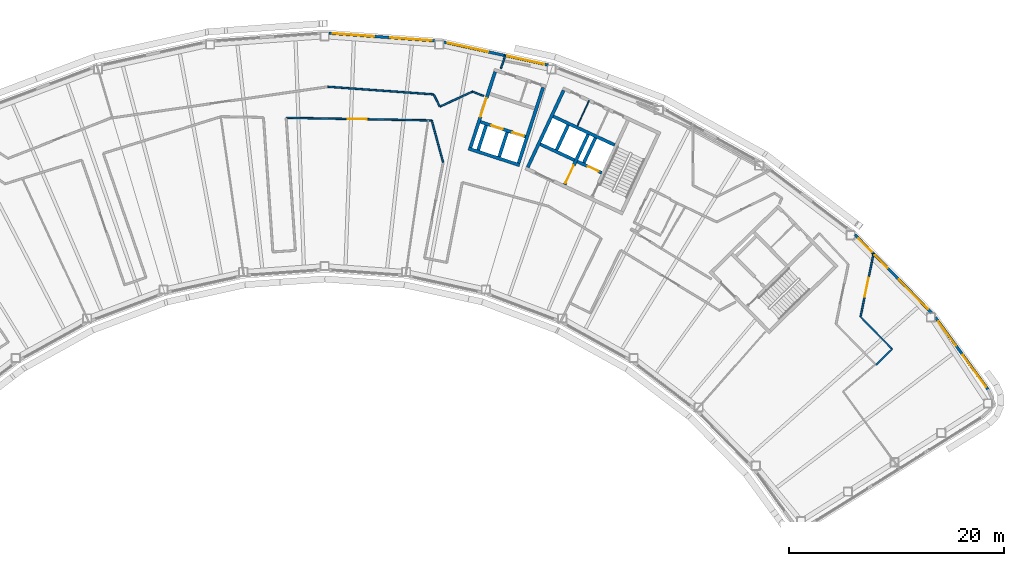
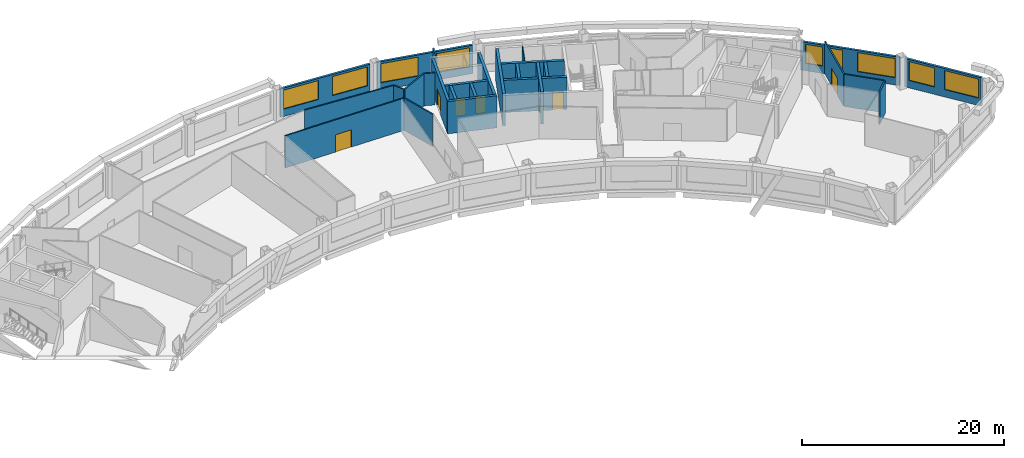
# One storey, part 9 of 13: 28 walls, 9 windows, 7 doors, 16 openings.
"""IFC4 building model written with IfcOpenShell, lengths in metres."""

from ifc_helpers import new_model, si_unit, direction, frame, frame_2d, origin, place, context, subcontext, project, spatial, rectangle, extrude, material, layer, layer_set, type_object, element, fill, save


model = new_model("IFC4")

# Units and contexts
model_context = context("Model", 3, precision=1e-05, world=origin(), true_north=direction((0.0, 1.0)))
body_context = subcontext(model_context, "Body", "Model", "MODEL_VIEW")
ifc_project = project(units=[si_unit("LENGTHUNIT", "METRE"), si_unit("AREAUNIT", "SQUARE_METRE"), si_unit("VOLUMEUNIT", "CUBIC_METRE"), si_unit("PLANEANGLEUNIT", "RADIAN"), si_unit("MASSUNIT", "GRAM", prefix="KILO")], contexts=[model_context])

# Site, building, storey
site_placement = place(None, origin())
site = spatial("IfcSite", under=ifc_project, at=site_placement, CompositionType="ELEMENT")
building_placement = place(site_placement, origin())
building = spatial("IfcBuilding", under=site, at=building_placement, Name="Tuul Gate Civic Tower", CompositionType="ELEMENT")
storey_placement = place(building_placement, frame((0.0, 0.0, 306.800048828125)))
storey = spatial("IfcBuildingStorey", under=building, at=storey_placement, Name="Level 69", CompositionType="ELEMENT", Elevation=306.800048828125)

# Wall, opening, door
ifc_material_1 = material(Name="Concrete C50/60", Category="concrete")
ifc_layer_1 = layer(ifc_material_1, 0.300048828125)
ifc_layer_set_1 = layer_set([ifc_layer_1], Name="Concrete C50/60")
wall_type_1 = type_object("IfcWallType", Name="Core wall C50/60", PredefinedType="SHEAR", material=ifc_layer_set_1)
wall_1_placement = place(storey_placement, frame((32.545654296875, -3.456787109375, 0.0), z_axis=(0.0, 0.0, 1.0), x_axis=(-0.906300357825, 0.42263419337, 0.0)))
wall_1 = element("IfcWall", 1, at=wall_1_placement, inside=storey, type_object=wall_type_1, Name="Core wall", PredefinedType="SHEAR", context=body_context, shape_type="SweptSolid", body=[
    extrude(rectangle(XDim=2.500244140625, YDim=0.300048828125, at=frame_2d((1.25, 0.0))), origin(), (0.0, 0.0, 1.0), 3.89990234375),
])
opening_1_placement = place(wall_1_placement, frame((0.324951171875, 0.0, 0.0)))
opening_1 = element("IfcOpeningElement", 2, at=opening_1_placement, cuts=wall_1, Name="Opening LD-FF-2", PredefinedType="OPENING", context=body_context, shape_type="SweptSolid", body=[
    extrude(rectangle(XDim=1.10009765625, YDim=2.10009765625, at=frame_2d((0.550048828125, 1.050048828125))), frame((0.0, 0.16015625, 0.0), z_axis=(0.0, -1.0, 0.0), x_axis=(1.0, 0.0, 0.0)), (0.0, 0.0, 1.0), 0.320068359375),
])
ifc_material_2 = material(Name="Stainless steel", Category="steel")
door_type_1 = type_object("IfcDoorType", Name="Landing door", OperationType="DOUBLE_DOOR_SLIDING", PredefinedType="DOOR", material=ifc_material_2)
door_1_placement = place(opening_1_placement, origin())
door_1 = element("IfcDoor", 3, at=door_1_placement, inside=storey, type_object=door_type_1, Name="Fire-fighting lift FF-2 landing door", OperationType="DOUBLE_DOOR_SLIDING", OverallHeight=2.10009765625, OverallWidth=1.10009765625, PredefinedType="DOOR", context=body_context, shape_type="SweptSolid", body=[
    extrude(rectangle(XDim=1.10009765625, YDim=2.10009765625, at=frame_2d((0.550048828125, 1.050048828125))), frame((0.0, 0.02490234375, 0.0), z_axis=(0.0, -1.0, 0.0), x_axis=(1.0, 0.0, 0.0)), (0.0, 0.0, 1.0), 0.050048828125),
])
fill(opening_1, door_1)

# Walls
wall_2_placement = place(storey_placement, frame((30.0078125, -2.2734375, 0.0), z_axis=(0.0, 0.0, 1.0), x_axis=(-0.90630071767, 0.422633421716, 0.0)))
element("IfcWall", 4, at=wall_2_placement, inside=storey, type_object=wall_type_1, Name="Core wall", PredefinedType="SHEAR", context=body_context, shape_type="SweptSolid", body=[
    extrude(rectangle(XDim=3.5, YDim=0.300048828125, at=frame_2d((1.75, 0.0))), origin(), (0.0, 0.0, 1.0), 3.89990234375),
])
wall_3_placement = place(storey_placement, frame((33.75, -0.873779296875, 0.0), z_axis=(0.0, 0.0, 1.0), x_axis=(-0.906300917592, 0.422632992999, 0.0)))
element("IfcWall", 5, at=wall_3_placement, inside=storey, type_object=wall_type_1, Name="Core wall", PredefinedType="SHEAR", context=body_context, shape_type="SweptSolid", body=[
    extrude(rectangle(XDim=6.300048828125, YDim=0.300048828125, at=frame_2d((3.14990234375, 0.0))), origin(), (0.0, 0.0, 1.0), 3.89990234375),
])
wall_4_placement = place(storey_placement, frame((30.886962890625, -2.517822265625, 0.0), z_axis=(0.0, 0.0, 1.0), x_axis=(0.422612891016, 0.906310291427, 0.0)))
element("IfcWall", 6, at=wall_4_placement, inside=storey, type_object=wall_type_1, Name="Core wall", PredefinedType="SHEAR", context=body_context, shape_type="SweptSolid", body=[
    extrude(rectangle(XDim=2.550048828125, YDim=0.300048828125, at=frame_2d((1.27490234375, 0.0))), origin(), (0.0, 0.0, 1.0), 3.89990234375),
])

# Wall, opening, door
wall_5_placement = place(storey_placement, frame((29.108642578125, -4.557373046875, 0.0), z_axis=(0.0, 0.0, 1.0), x_axis=(0.422566235356, 0.90633204552, 0.0)))
wall_5 = element("IfcWall", 7, at=wall_5_placement, inside=storey, type_object=wall_type_1, Name="Core wall", PredefinedType="SHEAR", context=body_context, shape_type="SweptSolid", body=[
    extrude(rectangle(XDim=5.150146484375, YDim=0.300048828125, at=frame_2d((2.5751953125, 0.0))), origin(), (0.0, 0.0, 1.0), 3.89990234375),
])
opening_2_placement = place(wall_5_placement, frame((0.175048828125, 0.0, 0.0)))
opening_2 = element("IfcOpeningElement", 8, at=opening_2_placement, cuts=wall_5, Name="Opening LB-E3-FLOBBY-1", PredefinedType="OPENING", context=body_context, shape_type="SweptSolid", body=[
    extrude(rectangle(XDim=1.800048828125, YDim=2.10009765625, at=frame_2d((0.89990234375, 1.050048828125))), frame((0.0, 0.16015625, 0.0), z_axis=(0.0, -1.0, 0.0), x_axis=(1.0, 0.0, 0.0)), (0.0, 0.0, 1.0), 0.320068359375),
])
ifc_material_3 = material(Name="Steel", Category="steel")
door_type_2 = type_object("IfcDoorType", Name="Lobby door", OperationType="DOUBLE_DOOR_SINGLE_SWING", PredefinedType="DOOR", material=ifc_material_3)
door_2_placement = place(opening_2_placement, frame((1.800048828125, 0.0, 0.0), z_axis=(0.0, 0.0, 1.0), x_axis=(-1.0, 0.0, 0.0)))
door_2 = element("IfcDoor", 9, at=door_2_placement, inside=storey, type_object=door_type_2, Name="Lobby door E3-FLOBBY", OperationType="DOUBLE_DOOR_SINGLE_SWING", OverallHeight=2.10009765625, OverallWidth=1.800048828125, PredefinedType="DOOR", context=body_context, shape_type="SweptSolid", body=[
    extrude(rectangle(XDim=1.800048828125, YDim=2.10009765625, at=frame_2d((0.900146484375, 1.050048828125))), frame((0.0, 0.02490234375, 0.0), z_axis=(0.0, -1.0, 0.0), x_axis=(1.0, 0.0, 0.0)), (0.0, 0.0, 1.0), 0.050048828125),
])
fill(opening_2, door_2)

# Walls
wall_6_placement = place(storey_placement, frame((28.349365234375, -1.33447265625, 0.0), z_axis=(0.0, 0.0, 1.0), x_axis=(0.422612891016, 0.906310291427, 0.0)))
element("IfcWall", 10, at=wall_6_placement, inside=storey, type_object=wall_type_1, Name="Core wall", PredefinedType="SHEAR", context=body_context, shape_type="SweptSolid", body=[
    extrude(rectangle(XDim=2.550048828125, YDim=0.300048828125, at=frame_2d((1.27490234375, 0.0))), origin(), (0.0, 0.0, 1.0), 3.89990234375),
])
wall_7_placement = place(storey_placement, frame((25.66455078125, -2.951416015625, 0.0), z_axis=(0.0, 0.0, 1.0), x_axis=(0.422582604137, 0.906324413596, 0.0)))
element("IfcWall", 11, at=wall_7_placement, inside=storey, type_object=wall_type_1, Name="Core wall", PredefinedType="SHEAR", context=body_context, shape_type="SweptSolid", body=[
    extrude(rectangle(XDim=7.89990234375, YDim=0.300048828125, at=frame_2d((3.949951171875, 0.0))), origin(), (0.0, 0.0, 1.0), 3.89990234375),
])
ifc_material_4 = material(Name="Gypsum board partition")
ifc_layer_2 = layer(ifc_material_4, 0.14990234375)
ifc_layer_set_2 = layer_set([ifc_layer_2], Name="Gypsum board partition")
wall_type_2 = type_object("IfcWallType", Name="Corridor wall P150", PredefinedType="PARTITIONING", material=ifc_layer_set_2)
wall_8_placement = place(storey_placement, frame((58.05078125, -21.314453125, 0.0), z_axis=(0.0, 0.0, 1.0), x_axis=(0.714105887894, 0.70003769961, 0.0)))
element("IfcWall", 12, at=wall_8_placement, inside=storey, type_object=wall_type_2, Name="p004", PredefinedType="PARTITIONING", context=body_context, shape_type="SweptSolid", body=[
    extrude(rectangle(XDim=2.099853515625, YDim=0.14990234375, at=frame_2d((1.0498046875, 0.0))), origin(), (0.0, 0.0, 1.0), 3.89990234375),
])
wall_9_placement = place(storey_placement, frame((56.622314453125, -16.857421875, 0.0), z_axis=(0.0, 0.0, 1.0), x_axis=(0.700008966595, -0.714134053722, 0.0)))
element("IfcWall", 13, at=wall_9_placement, inside=storey, type_object=wall_type_2, Name="p005", PredefinedType="PARTITIONING", context=body_context, shape_type="SweptSolid", body=[
    extrude(rectangle(XDim=4.182861328125, YDim=0.14990234375, at=frame_2d((2.09130859375, 0.0))), origin(), (0.0, 0.0, 1.0), 3.89990234375),
])

# Wall, opening, door
wall_10_placement = place(storey_placement, frame((56.616943359375, -16.838623046875, 0.0), z_axis=(0.0, 0.0, 1.0), x_axis=(0.201480472867, 0.979492531392, 0.0)))
wall_10 = element("IfcWall", 14, at=wall_10_placement, inside=storey, type_object=wall_type_2, Name="p006", PredefinedType="PARTITIONING", context=body_context, shape_type="SweptSolid", body=[
    extrude(rectangle(XDim=5.991943359375, YDim=0.14990234375, at=frame_2d((2.99609375, 0.0))), origin(), (0.0, 0.0, 1.0), 3.89990234375),
])
opening_3_placement = place(wall_10_placement, frame((1.897216796875, 0.0, 0.0)))
opening_3 = element("IfcOpeningElement", 15, at=opening_3_placement, cuts=wall_10, Name="Opening Z-D01", PredefinedType="OPENING", context=body_context, shape_type="SweptSolid", body=[
    extrude(rectangle(XDim=1.800048828125, YDim=2.10009765625, at=frame_2d((0.89990234375, 1.050048828125))), frame((0.0, 0.0849609375, 0.0), z_axis=(0.0, -1.0, 0.0), x_axis=(1.0, 0.0, 0.0)), (0.0, 0.0, 1.0), 0.169921875),
])
ifc_material_5 = material(Name="Timber door leaf, double", Category="wood")
door_type_3 = type_object("IfcDoorType", Name="Door D18", OperationType="DOUBLE_DOOR_SINGLE_SWING", PredefinedType="DOOR", material=ifc_material_5)
door_3_placement = place(opening_3_placement, frame((1.800048828125, 0.0, 0.0), z_axis=(0.0, 0.0, 1.0), x_axis=(-1.0, 0.0, 0.0)))
door_3 = element("IfcDoor", 16, at=door_3_placement, inside=storey, type_object=door_type_3, Name="Door Z-D01", OperationType="DOUBLE_DOOR_SINGLE_SWING", OverallHeight=2.10009765625, OverallWidth=1.800048828125, PredefinedType="DOOR", context=body_context, shape_type="SweptSolid", body=[
    extrude(rectangle(XDim=1.800048828125, YDim=2.10009765625, at=frame_2d((0.900146484375, 1.050048828125))), frame((0.0, 0.02490234375, 0.0), z_axis=(0.0, -1.0, 0.0), x_axis=(1.0, 0.0, 0.0)), (0.0, 0.0, 1.0), 0.050048828125),
])
fill(opening_3, door_3)

# Walls
wall_11_placement = place(storey_placement, frame((23.176513671875, 6.2294921875, 0.0), z_axis=(0.0, 0.0, 1.0), x_axis=(0.308145393027, 0.951339275315, 0.0)))
element("IfcWall", 17, at=wall_11_placement, inside=storey, type_object=wall_type_2, Name="p014", PredefinedType="PARTITIONING", context=body_context, shape_type="SweptSolid", body=[
    extrude(rectangle(XDim=1.279541015625, YDim=0.14990234375, at=frame_2d((0.6396484375, 0.0))), origin(), (0.0, 0.0, 1.0), 3.89990234375),
])
wall_12_placement = place(storey_placement, frame((20.530517578125, 4.094482421875, 0.0), z_axis=(0.0, 0.0, 1.0), x_axis=(0.928417227945, -0.371539299206, 0.0)))
element("IfcWall", 18, at=wall_12_placement, inside=storey, type_object=wall_type_2, Name="p015", PredefinedType="PARTITIONING", context=body_context, shape_type="SweptSolid", body=[
    extrude(rectangle(XDim=1.1328125, YDim=0.14990234375, at=frame_2d((0.56640625, 0.0))), origin(), (0.0, 0.0, 1.0), 3.89990234375),
])
wall_13_placement = place(storey_placement, frame((17.50537109375, 2.701171875, 0.0), z_axis=(0.0, 0.0, 1.0), x_axis=(0.908291641802, 0.418337535289, 0.0)))
element("IfcWall", 19, at=wall_13_placement, inside=storey, type_object=wall_type_2, Name="p016", PredefinedType="PARTITIONING", context=body_context, shape_type="SweptSolid", body=[
    extrude(rectangle(XDim=3.33056640625, YDim=0.14990234375, at=frame_2d((1.665283203125, 0.0))), origin(), (0.0, 0.0, 1.0), 3.89990234375),
])
wall_14_placement = place(storey_placement, frame((16.924072265625, 3.835205078125, 0.0), z_axis=(0.0, 0.0, 1.0), x_axis=(0.442221676131, -0.896905786111, 0.0)))
element("IfcWall", 20, at=wall_14_placement, inside=storey, type_object=wall_type_2, Name="p017", PredefinedType="PARTITIONING", context=body_context, shape_type="SweptSolid", body=[
    extrude(rectangle(XDim=1.253662109375, YDim=0.14990234375, at=frame_2d((0.626953125, 0.0))), origin(), (0.0, 0.0, 1.0), 3.89990234375),
])
wall_15_placement = place(storey_placement, frame((7.087646484375, 4.547607421875, 0.0), z_axis=(0.0, 0.0, 1.0), x_axis=(0.997387588346, -0.072235715632, 0.0)))
element("IfcWall", 21, at=wall_15_placement, inside=storey, type_object=wall_type_2, Name="p018", PredefinedType="PARTITIONING", context=body_context, shape_type="SweptSolid", body=[
    extrude(rectangle(XDim=9.8623046875, YDim=0.14990234375, at=frame_2d((4.93115234375, 0.0))), origin(), (0.0, 0.0, 1.0), 3.89990234375),
])

# Wall, opening, door
wall_16_placement = place(storey_placement, frame((3.22509765625, 1.657958984375, 0.0), z_axis=(0.0, 0.0, 1.0), x_axis=(0.999840656995, -0.01785106777, 0.0)))
wall_16 = element("IfcWall", 22, at=wall_16_placement, inside=storey, type_object=wall_type_2, Name="p038", PredefinedType="PARTITIONING", context=body_context, shape_type="SweptSolid", body=[
    extrude(rectangle(XDim=13.498779296875, YDim=0.14990234375, at=frame_2d((6.74951171875, 0.0))), origin(), (0.0, 0.0, 1.0), 3.89990234375),
])
opening_4_placement = place(wall_16_placement, frame((5.69482421875, 0.0, 0.0)))
opening_4 = element("IfcOpeningElement", 23, at=opening_4_placement, cuts=wall_16, Name="Opening Z-D08", PredefinedType="OPENING", context=body_context, shape_type="SweptSolid", body=[
    extrude(rectangle(XDim=1.800048828125, YDim=2.10009765625, at=frame_2d((0.89990234375, 1.050048828125))), frame((0.0, 0.0849609375, 0.0), z_axis=(0.0, -1.0, 0.0), x_axis=(1.0, 0.0, 0.0)), (0.0, 0.0, 1.0), 0.169921875),
])
door_4_placement = place(opening_4_placement, frame((1.800048828125, 0.0, 0.0), z_axis=(0.0, 0.0, 1.0), x_axis=(-1.0, 0.0, 0.0)))
door_4 = element("IfcDoor", 24, at=door_4_placement, inside=storey, type_object=door_type_3, Name="Door Z-D08", OperationType="DOUBLE_DOOR_SINGLE_SWING", OverallHeight=2.10009765625, OverallWidth=1.800048828125, PredefinedType="DOOR", context=body_context, shape_type="SweptSolid", body=[
    extrude(rectangle(XDim=1.800048828125, YDim=2.10009765625, at=frame_2d((0.900146484375, 1.050048828125))), frame((0.0, 0.02490234375, 0.0), z_axis=(0.0, -1.0, 0.0), x_axis=(1.0, 0.0, 0.0)), (0.0, 0.0, 1.0), 0.050048828125),
])
fill(opening_4, door_4)

# Wall
wall_17_placement = place(storey_placement, frame((16.7412109375, 1.40185546875, 0.0), z_axis=(0.0, 0.0, 1.0), x_axis=(0.264174843179, -0.964474806426, 0.0)))
element("IfcWall", 25, at=wall_17_placement, inside=storey, type_object=wall_type_2, Name="p039", PredefinedType="PARTITIONING", context=body_context, shape_type="SweptSolid", body=[
    extrude(rectangle(XDim=4.02392578125, YDim=0.14990234375, at=frame_2d((2.011962890625, 0.0))), origin(), (0.0, 0.0, 1.0), 3.89990234375),
])

# Wall, openings, windows
ifc_material_6 = material(Name="Precast concrete C40/50", Category="concrete")
ifc_layer_3 = layer(ifc_material_6, 0.25)
ifc_layer_set_3 = layer_set([ifc_layer_3], Name="Precast concrete C40/50")
wall_type_3 = type_object("IfcWallType", Name="External wall", PredefinedType="STANDARD", material=ifc_layer_set_3)
wall_18_placement = place(storey_placement, frame((68.47802734375, -23.61376953125, 0.0), z_axis=(0.0, 0.0, 1.0), x_axis=(-0.589827901293, 0.807528975862, 0.0)))
wall_18 = element("IfcWall", 26, at=wall_18_placement, inside=storey, type_object=wall_type_3, Name="External wall", PredefinedType="STANDARD", context=body_context, shape_type="SweptSolid", body=[
    extrude(rectangle(XDim=8.337890625, YDim=0.25, at=frame_2d((4.1689453125, 0.0))), origin(), (0.0, 0.0, 1.0), 3.449951171875),
])
opening_5_placement = place(wall_18_placement, frame((0.301025390625, 0.0, 0.89990234375)))
opening_5 = element("IfcOpeningElement", 27, at=opening_5_placement, cuts=wall_18, Name="Opening W21", PredefinedType="OPENING", context=body_context, shape_type="SweptSolid", body=[
    extrude(rectangle(XDim=3.699951171875, YDim=2.300048828125, at=frame_2d((1.85009765625, 1.14990234375))), frame((0.0, 0.135009765625, 0.0), z_axis=(0.0, -1.0, 0.0), x_axis=(1.0, 0.0, 0.0)), (0.0, 0.0, 1.0), 0.27001953125),
])
opening_6_placement = place(wall_18_placement, frame((5.052978515625, 0.0, 0.89990234375)))
opening_6 = element("IfcOpeningElement", 28, at=opening_6_placement, cuts=wall_18, Name="Opening W23", PredefinedType="OPENING", context=body_context, shape_type="SweptSolid", body=[
    extrude(rectangle(XDim=2.800048828125, YDim=2.300048828125, at=frame_2d((1.39990234375, 1.14990234375))), frame((0.0, 0.135009765625, 0.0), z_axis=(0.0, -1.0, 0.0), x_axis=(1.0, 0.0, 0.0)), (0.0, 0.0, 1.0), 0.27001953125),
])
ifc_material_7 = material(Name="Glass", Category="glass")
window_type_1 = type_object("IfcWindowType", Name="Window W21 3700 x 2300", PartitioningType="SINGLE_PANEL", PredefinedType="WINDOW", material=ifc_material_7)
window_1_placement = place(opening_5_placement, origin())
window_1 = element("IfcWindow", 29, at=window_1_placement, inside=storey, type_object=window_type_1, Name="Window", OverallHeight=2.300048828125, OverallWidth=3.699951171875, PartitioningType="SINGLE_PANEL", PredefinedType="WINDOW", context=body_context, shape_type="SweptSolid", body=[
    extrude(rectangle(XDim=3.699951171875, YDim=2.300048828125, at=frame_2d((1.85009765625, 1.14990234375))), frame((0.0, 0.030029296875, 0.0), z_axis=(0.0, -1.0, 0.0), x_axis=(1.0, 0.0, 0.0)), (0.0, 0.0, 1.0), 0.06005859375),
])
fill(opening_5, window_1)
ifc_material_8 = material(Name="Glass", Category="glass")
window_type_2 = type_object("IfcWindowType", Name="Window W23 2800 x 2300", PartitioningType="SINGLE_PANEL", PredefinedType="WINDOW", material=ifc_material_8)
window_2_placement = place(opening_6_placement, origin())
window_2 = element("IfcWindow", 30, at=window_2_placement, inside=storey, type_object=window_type_2, Name="Window", OverallHeight=2.300048828125, OverallWidth=2.800048828125, PartitioningType="SINGLE_PANEL", PredefinedType="WINDOW", context=body_context, shape_type="SweptSolid", body=[
    extrude(rectangle(XDim=2.800048828125, YDim=2.300048828125, at=frame_2d((1.39990234375, 1.14990234375))), frame((0.0, 0.030029296875, 0.0), z_axis=(0.0, -1.0, 0.0), x_axis=(1.0, 0.0, 0.0)), (0.0, 0.0, 1.0), 0.06005859375),
])
fill(opening_6, window_2)

wall_19_placement = place(storey_placement, frame((63.22314453125, -16.48388671875, 0.0), z_axis=(0.0, 0.0, 1.0), x_axis=(-0.700055609081, 0.714088330807, 0.0)))
wall_19 = element("IfcWall", 31, at=wall_19_placement, inside=storey, type_object=wall_type_3, Name="External wall", PredefinedType="STANDARD", context=body_context, shape_type="SweptSolid", body=[
    extrude(rectangle(XDim=10.1953125, YDim=0.25, at=frame_2d((5.09765625, 0.0))), origin(), (0.0, 0.0, 1.0), 3.449951171875),
])
opening_7_placement = place(wall_19_placement, frame((0.48681640625, 0.0, 0.89990234375)))
opening_7 = element("IfcOpeningElement", 32, at=opening_7_placement, cuts=wall_19, Name="Opening W22", PredefinedType="OPENING", context=body_context, shape_type="SweptSolid", body=[
    extrude(rectangle(XDim=3.85009765625, YDim=2.300048828125, at=frame_2d((1.925048828125, 1.14990234375))), frame((0.0, 0.135009765625, 0.0), z_axis=(0.0, -1.0, 0.0), x_axis=(1.0, 0.0, 0.0)), (0.0, 0.0, 1.0), 0.27001953125),
])
opening_8_placement = place(wall_19_placement, frame((5.862548828125, 0.0, 0.89990234375)))
opening_8 = element("IfcOpeningElement", 33, at=opening_8_placement, cuts=wall_19, Name="Opening W55", PredefinedType="OPENING", context=body_context, shape_type="SweptSolid", body=[
    extrude(rectangle(XDim=1.64990234375, YDim=2.300048828125, at=frame_2d((0.824951171875, 1.14990234375))), frame((0.0, 0.135009765625, 0.0), z_axis=(0.0, -1.0, 0.0), x_axis=(1.0, 0.0, 0.0)), (0.0, 0.0, 1.0), 0.27001953125),
])
opening_9_placement = place(wall_19_placement, frame((7.9375, 0.0, 0.89990234375)))
opening_9 = element("IfcOpeningElement", 34, at=opening_9_placement, cuts=wall_19, Name="Opening W67", PredefinedType="OPENING", context=body_context, shape_type="SweptSolid", body=[
    extrude(rectangle(XDim=1.75, YDim=2.300048828125, at=frame_2d((0.875, 1.14990234375))), frame((0.0, 0.135009765625, 0.0), z_axis=(0.0, -1.0, 0.0), x_axis=(1.0, 0.0, 0.0)), (0.0, 0.0, 1.0), 0.27001953125),
])
ifc_material_9 = material(Name="Glass", Category="glass")
window_type_3 = type_object("IfcWindowType", Name="Window 1650 x 2300", PartitioningType="SINGLE_PANEL", PredefinedType="WINDOW", material=ifc_material_9)
window_3_placement = place(opening_8_placement, origin())
window_3 = element("IfcWindow", 35, at=window_3_placement, inside=storey, type_object=window_type_3, Name="Window", OverallHeight=2.300048828125, OverallWidth=1.64990234375, PartitioningType="SINGLE_PANEL", PredefinedType="WINDOW", context=body_context, shape_type="SweptSolid", body=[
    extrude(rectangle(XDim=1.64990234375, YDim=2.300048828125, at=frame_2d((0.824951171875, 1.14990234375))), frame((0.0, 0.030029296875, 0.0), z_axis=(0.0, -1.0, 0.0), x_axis=(1.0, 0.0, 0.0)), (0.0, 0.0, 1.0), 0.06005859375),
])
fill(opening_8, window_3)
ifc_material_10 = material(Name="Glass", Category="glass")
window_type_4 = type_object("IfcWindowType", Name="Window 1750 x 2300", PartitioningType="SINGLE_PANEL", PredefinedType="WINDOW", material=ifc_material_10)
window_4_placement = place(opening_9_placement, origin())
window_4 = element("IfcWindow", 36, at=window_4_placement, inside=storey, type_object=window_type_4, Name="Window", OverallHeight=2.300048828125, OverallWidth=1.75, PartitioningType="SINGLE_PANEL", PredefinedType="WINDOW", context=body_context, shape_type="SweptSolid", body=[
    extrude(rectangle(XDim=1.75, YDim=2.300048828125, at=frame_2d((0.875, 1.14990234375))), frame((0.0, 0.030029296875, 0.0), z_axis=(0.0, -1.0, 0.0), x_axis=(1.0, 0.0, 0.0)), (0.0, 0.0, 1.0), 0.06005859375),
])
fill(opening_9, window_4)
ifc_material_11 = material(Name="Glass", Category="glass")
window_type_5 = type_object("IfcWindowType", Name="Window W22 3850 x 2300", PartitioningType="SINGLE_PANEL", PredefinedType="WINDOW", material=ifc_material_11)
window_5_placement = place(opening_7_placement, origin())
window_5 = element("IfcWindow", 37, at=window_5_placement, inside=storey, type_object=window_type_5, Name="Window", OverallHeight=2.300048828125, OverallWidth=3.85009765625, PartitioningType="SINGLE_PANEL", PredefinedType="WINDOW", context=body_context, shape_type="SweptSolid", body=[
    extrude(rectangle(XDim=3.85009765625, YDim=2.300048828125, at=frame_2d((1.925048828125, 1.14990234375))), frame((0.0, 0.030029296875, 0.0), z_axis=(0.0, -1.0, 0.0), x_axis=(1.0, 0.0, 0.0)), (0.0, 0.0, 1.0), 0.06005859375),
])
fill(opening_7, window_5)

wall_20_placement = place(storey_placement, frame((27.56201171875, 6.56201171875, 0.0), z_axis=(0.0, 0.0, 1.0), x_axis=(-0.976565167079, 0.215221919071, 0.0)))
wall_20 = element("IfcWall", 38, at=wall_20_placement, inside=storey, type_object=wall_type_3, Name="External wall", PredefinedType="STANDARD", context=body_context, shape_type="SweptSolid", body=[
    extrude(rectangle(XDim=9.95751953125, YDim=0.25, at=frame_2d((4.978759765625, 0.0))), origin(), (0.0, 0.0, 1.0), 3.449951171875),
])
opening_10_placement = place(wall_20_placement, frame((5.717529296875, 0.0, 0.89990234375)))
opening_10 = element("IfcOpeningElement", 39, at=opening_10_placement, cuts=wall_20, Name="Opening W22", PredefinedType="OPENING", context=body_context, shape_type="SweptSolid", body=[
    extrude(rectangle(XDim=3.85009765625, YDim=2.300048828125, at=frame_2d((1.925048828125, 1.14990234375))), frame((0.0, 0.135009765625, 0.0), z_axis=(0.0, -1.0, 0.0), x_axis=(1.0, 0.0, 0.0)), (0.0, 0.0, 1.0), 0.27001953125),
])
opening_11_placement = place(wall_20_placement, frame((0.3671875, 0.0, 0.89990234375)))
opening_11 = element("IfcOpeningElement", 40, at=opening_11_placement, cuts=wall_20, Name="Opening W74", PredefinedType="OPENING", context=body_context, shape_type="SweptSolid", body=[
    extrude(rectangle(XDim=3.5, YDim=2.300048828125, at=frame_2d((1.75, 1.14990234375))), frame((0.0, 0.135009765625, 0.0), z_axis=(0.0, -1.0, 0.0), x_axis=(1.0, 0.0, 0.0)), (0.0, 0.0, 1.0), 0.27001953125),
])
ifc_material_12 = material(Name="Glass", Category="glass")
window_type_6 = type_object("IfcWindowType", Name="Window 3500 x 2300", PartitioningType="SINGLE_PANEL", PredefinedType="WINDOW", material=ifc_material_12)
window_6_placement = place(opening_11_placement, origin())
window_6 = element("IfcWindow", 41, at=window_6_placement, inside=storey, type_object=window_type_6, Name="Window", OverallHeight=2.300048828125, OverallWidth=3.5, PartitioningType="SINGLE_PANEL", PredefinedType="WINDOW", context=body_context, shape_type="SweptSolid", body=[
    extrude(rectangle(XDim=3.5, YDim=2.300048828125, at=frame_2d((1.75, 1.14990234375))), frame((0.0, 0.030029296875, 0.0), z_axis=(0.0, -1.0, 0.0), x_axis=(1.0, 0.0, 0.0)), (0.0, 0.0, 1.0), 0.06005859375),
])
fill(opening_11, window_6)
window_7_placement = place(opening_10_placement, origin())
window_7 = element("IfcWindow", 42, at=window_7_placement, inside=storey, type_object=window_type_5, Name="Window", OverallHeight=2.300048828125, OverallWidth=3.85009765625, PartitioningType="SINGLE_PANEL", PredefinedType="WINDOW", context=body_context, shape_type="SweptSolid", body=[
    extrude(rectangle(XDim=3.85009765625, YDim=2.300048828125, at=frame_2d((1.925048828125, 1.14990234375))), frame((0.0, 0.030029296875, 0.0), z_axis=(0.0, -1.0, 0.0), x_axis=(1.0, 0.0, 0.0)), (0.0, 0.0, 1.0), 0.06005859375),
])
fill(opening_10, window_7)

wall_21_placement = place(storey_placement, frame((17.0380859375, 8.8154296875, 0.0), z_axis=(0.0, 0.0, 1.0), x_axis=(-0.997387687721, 0.072234343517, 0.0)))
wall_21 = element("IfcWall", 43, at=wall_21_placement, inside=storey, type_object=wall_type_3, Name="External wall", PredefinedType="STANDARD", context=body_context, shape_type="SweptSolid", body=[
    extrude(rectangle(XDim=9.8759765625, YDim=0.25, at=frame_2d((4.93798828125, 0.0))), origin(), (0.0, 0.0, 1.0), 3.449951171875),
])
opening_12_placement = place(wall_21_placement, frame((0.3037109375, 0.0, 0.89990234375)))
opening_12 = element("IfcOpeningElement", 44, at=opening_12_placement, cuts=wall_21, Name="Opening W22", PredefinedType="OPENING", context=body_context, shape_type="SweptSolid", body=[
    extrude(rectangle(XDim=3.85009765625, YDim=2.300048828125, at=frame_2d((1.925048828125, 1.14990234375))), frame((0.0, 0.135009765625, 0.0), z_axis=(0.0, -1.0, 0.0), x_axis=(1.0, 0.0, 0.0)), (0.0, 0.0, 1.0), 0.27001953125),
])
opening_13_placement = place(wall_21_placement, frame((5.675048828125, 0.0, 0.89990234375)))
opening_13 = element("IfcOpeningElement", 45, at=opening_13_placement, cuts=wall_21, Name="Opening W22", PredefinedType="OPENING", context=body_context, shape_type="SweptSolid", body=[
    extrude(rectangle(XDim=3.85009765625, YDim=2.300048828125, at=frame_2d((1.925048828125, 1.14990234375))), frame((0.0, 0.135009765625, 0.0), z_axis=(0.0, -1.0, 0.0), x_axis=(1.0, 0.0, 0.0)), (0.0, 0.0, 1.0), 0.27001953125),
])
window_8_placement = place(opening_12_placement, origin())
window_8 = element("IfcWindow", 46, at=window_8_placement, inside=storey, type_object=window_type_5, Name="Window", OverallHeight=2.300048828125, OverallWidth=3.85009765625, PartitioningType="SINGLE_PANEL", PredefinedType="WINDOW", context=body_context, shape_type="SweptSolid", body=[
    extrude(rectangle(XDim=3.85009765625, YDim=2.300048828125, at=frame_2d((1.925048828125, 1.14990234375))), frame((0.0, 0.030029296875, 0.0), z_axis=(0.0, -1.0, 0.0), x_axis=(1.0, 0.0, 0.0)), (0.0, 0.0, 1.0), 0.06005859375),
])
fill(opening_12, window_8)
window_9_placement = place(opening_13_placement, origin())
window_9 = element("IfcWindow", 47, at=window_9_placement, inside=storey, type_object=window_type_5, Name="Window", OverallHeight=2.300048828125, OverallWidth=3.85009765625, PartitioningType="SINGLE_PANEL", PredefinedType="WINDOW", context=body_context, shape_type="SweptSolid", body=[
    extrude(rectangle(XDim=3.85009765625, YDim=2.300048828125, at=frame_2d((1.925048828125, 1.14990234375))), frame((0.0, 0.030029296875, 0.0), z_axis=(0.0, -1.0, 0.0), x_axis=(1.0, 0.0, 0.0)), (0.0, 0.0, 1.0), 0.06005859375),
])
fill(opening_13, window_9)

# Wall
ifc_material_13 = material(Name="Concrete C40/50", Category="concrete")
ifc_layer_4 = layer(ifc_material_13, 0.300048828125)
ifc_layer_set_4 = layer_set([ifc_layer_4], Name="Concrete C40/50")
wall_type_4 = type_object("IfcWallType", Name="Lift shaft wall C40/50", PredefinedType="STANDARD", material=ifc_layer_set_4)
wall_22_placement = place(storey_placement, frame((24.911376953125, -2.746337890625, 0.0), z_axis=(0.0, 0.0, 1.0), x_axis=(-0.951067792613, 0.308982287281, 0.0)))
element("IfcWall", 48, at=wall_22_placement, inside=storey, type_object=wall_type_4, Name="Shaft wall", PredefinedType="STANDARD", context=body_context, shape_type="SweptSolid", body=[
    extrude(rectangle(XDim=5.0, YDim=0.300048828125, at=frame_2d((2.5, 0.0))), origin(), (0.0, 0.0, 1.0), 3.89990234375),
])

# Wall, openings, doors
wall_23_placement = place(storey_placement, frame((25.460693359375, -0.0859375, 0.0), z_axis=(0.0, 0.0, 1.0), x_axis=(-0.951063829732, 0.308994485023, 0.0)))
wall_23 = element("IfcWall", 49, at=wall_23_placement, inside=storey, type_object=wall_type_4, Name="Shaft wall", PredefinedType="STANDARD", context=body_context, shape_type="SweptSolid", body=[
    extrude(rectangle(XDim=4.400146484375, YDim=0.300048828125, at=frame_2d((2.2001953125, 0.0))), origin(), (0.0, 0.0, 1.0), 3.89990234375),
])
opening_14_placement = place(wall_23_placement, frame((0.175048828125, 0.0, 0.0)))
opening_14 = element("IfcOpeningElement", 50, at=opening_14_placement, cuts=wall_23, Name="Opening LD-H2", PredefinedType="OPENING", context=body_context, shape_type="SweptSolid", body=[
    extrude(rectangle(XDim=1.10009765625, YDim=2.10009765625, at=frame_2d((0.550048828125, 1.050048828125))), frame((0.0, 0.16015625, 0.0), z_axis=(0.0, -1.0, 0.0), x_axis=(1.0, 0.0, 0.0)), (0.0, 0.0, 1.0), 0.320068359375),
])
opening_15_placement = place(wall_23_placement, frame((2.22509765625, 0.0, 0.0)))
opening_15 = element("IfcOpeningElement", 51, at=opening_15_placement, cuts=wall_23, Name="Opening LD-H3", PredefinedType="OPENING", context=body_context, shape_type="SweptSolid", body=[
    extrude(rectangle(XDim=1.10009765625, YDim=2.10009765625, at=frame_2d((0.550048828125, 1.050048828125))), frame((0.0, 0.16015625, 0.0), z_axis=(0.0, -1.0, 0.0), x_axis=(1.0, 0.0, 0.0)), (0.0, 0.0, 1.0), 0.320068359375),
])
door_5_placement = place(opening_14_placement, origin())
door_5 = element("IfcDoor", 52, at=door_5_placement, inside=storey, type_object=door_type_1, Name="High-rise lift H2 landing door", OperationType="DOUBLE_DOOR_SLIDING", OverallHeight=2.10009765625, OverallWidth=1.10009765625, PredefinedType="DOOR", context=body_context, shape_type="SweptSolid", body=[
    extrude(rectangle(XDim=1.10009765625, YDim=2.10009765625, at=frame_2d((0.550048828125, 1.050048828125))), frame((0.0, 0.02490234375, 0.0), z_axis=(0.0, -1.0, 0.0), x_axis=(1.0, 0.0, 0.0)), (0.0, 0.0, 1.0), 0.050048828125),
])
fill(opening_14, door_5)
door_6_placement = place(opening_15_placement, origin())
door_6 = element("IfcDoor", 53, at=door_6_placement, inside=storey, type_object=door_type_1, Name="High-rise lift H3 landing door", OperationType="DOUBLE_DOOR_SLIDING", OverallHeight=2.10009765625, OverallWidth=1.10009765625, PredefinedType="DOOR", context=body_context, shape_type="SweptSolid", body=[
    extrude(rectangle(XDim=1.10009765625, YDim=2.10009765625, at=frame_2d((0.550048828125, 1.050048828125))), frame((0.0, 0.02490234375, 0.0), z_axis=(0.0, -1.0, 0.0), x_axis=(1.0, 0.0, 0.0)), (0.0, 0.0, 1.0), 0.050048828125),
])
fill(opening_15, door_6)

# Walls
wall_24_placement = place(storey_placement, frame((24.815185546875, -2.557373046875, 0.0), z_axis=(0.0, 0.0, 1.0), x_axis=(0.30907264409, 0.951038432807, 0.0)))
element("IfcWall", 54, at=wall_24_placement, inside=storey, type_object=wall_type_4, Name="Shaft wall", PredefinedType="STANDARD", context=body_context, shape_type="SweptSolid", body=[
    extrude(rectangle(XDim=7.39990234375, YDim=0.300048828125, at=frame_2d((3.699951171875, 0.0))), origin(), (0.0, 0.0, 1.0), 3.89990234375),
])
for number, where, z_axis, x_axis, name in (
    (55, (23.008056640625, -1.97021484375, 0.0), (0.0, 0.0, 1.0), (0.309138975195, 0.951016873675, 0.0), "Shaft wall"),
    (56, (21.058349609375, -1.336669921875, 0.0), (0.0, 0.0, 1.0), (0.309138975195, 0.951016873675, 0.0), "Shaft wall"),
):
    element("IfcWall", number, at=place(storey_placement, frame(where, z_axis=z_axis, x_axis=x_axis)), inside=storey, type_object=wall_type_4, Name=name, PredefinedType="STANDARD", context=body_context, shape_type="SweptSolid", body=[
        extrude(rectangle(XDim=2.400146484375, YDim=0.300048828125, at=frame_2d((1.2001953125, 0.0))), origin(), (0.0, 0.0, 1.0), 3.89990234375),
    ])

# Wall, opening, door
wall_25_placement = place(storey_placement, frame((20.34521484375, -1.10498046875, 0.0), z_axis=(0.0, 0.0, 1.0), x_axis=(0.30907264409, 0.951038432807, 0.0)))
wall_25 = element("IfcWall", 57, at=wall_25_placement, inside=storey, type_object=wall_type_4, Name="Shaft wall", PredefinedType="STANDARD", context=body_context, shape_type="SweptSolid", body=[
    extrude(rectangle(XDim=7.39990234375, YDim=0.300048828125, at=frame_2d((3.699951171875, 0.0))), origin(), (0.0, 0.0, 1.0), 3.89990234375),
])
opening_16_placement = place(wall_25_placement, frame((3.02490234375, 0.0, 0.0)))
opening_16 = element("IfcOpeningElement", 58, at=opening_16_placement, cuts=wall_25, Name="Opening LB-E4-LOBBY-1", PredefinedType="OPENING", context=body_context, shape_type="SweptSolid", body=[
    extrude(rectangle(XDim=1.800048828125, YDim=2.10009765625, at=frame_2d((0.89990234375, 1.050048828125))), frame((0.0, 0.16015625, 0.0), z_axis=(0.0, -1.0, 0.0), x_axis=(1.0, 0.0, 0.0)), (0.0, 0.0, 1.0), 0.320068359375),
])
door_7_placement = place(opening_16_placement, frame((1.800048828125, 0.0, 0.0), z_axis=(0.0, 0.0, 1.0), x_axis=(-1.0, 0.0, 0.0)))
door_7 = element("IfcDoor", 59, at=door_7_placement, inside=storey, type_object=door_type_2, Name="Lobby door E4-LOBBY", OperationType="DOUBLE_DOOR_SINGLE_SWING", OverallHeight=2.10009765625, OverallWidth=1.800048828125, PredefinedType="DOOR", context=body_context, shape_type="SweptSolid", body=[
    extrude(rectangle(XDim=1.800048828125, YDim=2.10009765625, at=frame_2d((0.900146484375, 1.050048828125))), frame((0.0, 0.02490234375, 0.0), z_axis=(0.0, -1.0, 0.0), x_axis=(1.0, 0.0, 0.0)), (0.0, 0.0, 1.0), 0.050048828125),
])
fill(opening_16, door_7)

# Wall
ifc_material_14 = material(Name="Gypsum board partition")
ifc_layer_5 = layer(ifc_material_14, 0.10009765625)
ifc_layer_set_5 = layer_set([ifc_layer_5], Name="Gypsum board partition")
wall_type_5 = type_object("IfcWallType", Name="Partition P100", PredefinedType="PARTITIONING", material=ifc_layer_set_5)
wall_26_placement = place(storey_placement, frame((30.27880859375, 0.910400390625, 0.0), z_axis=(0.0, 0.0, 1.0), x_axis=(0.422556439746, 0.906336612539, 0.0)))
element("IfcWall", 60, at=wall_26_placement, inside=storey, type_object=wall_type_5, Name="bE3-BAND-1", PredefinedType="PARTITIONING", context=body_context, shape_type="SweptSolid", body=[
    extrude(rectangle(XDim=2.599853515625, YDim=0.10009765625, at=frame_2d((1.2998046875, 0.0))), origin(), (0.0, 0.0, 1.0), 3.89990234375),
])

save(model, "model.ifc")
